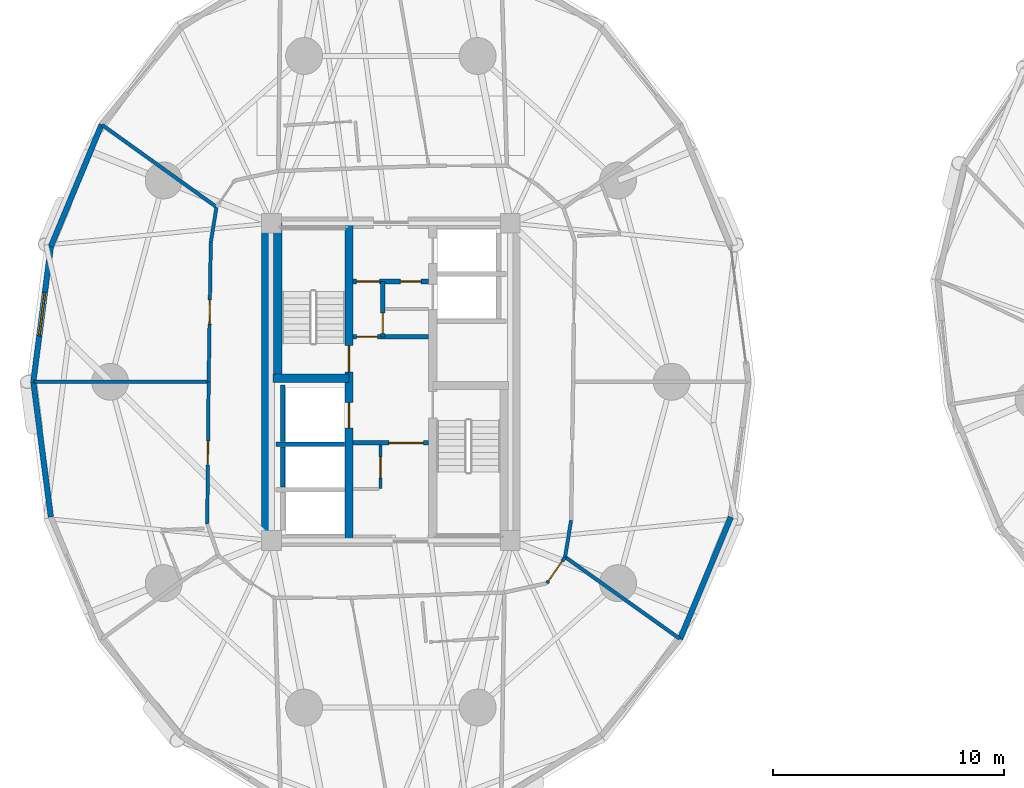
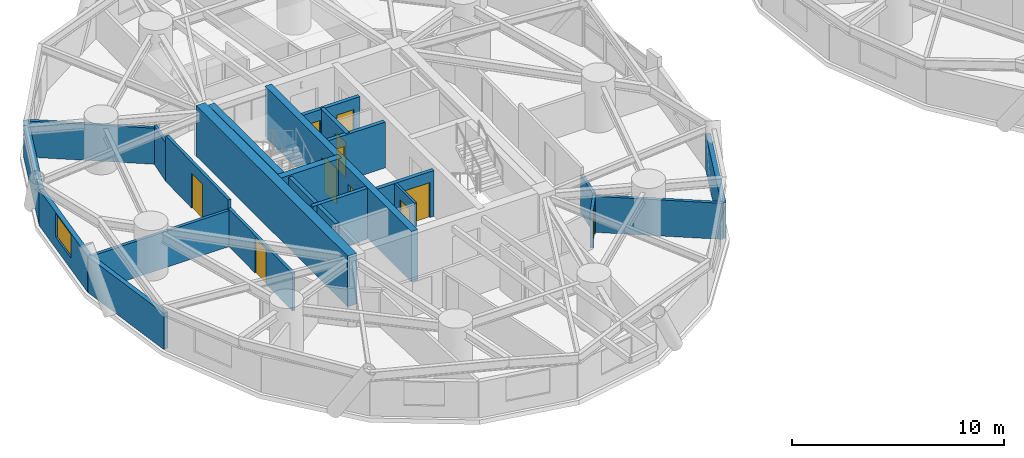
# One storey, part 10 of 18: 24 walls, 11 doors, 1 window, 12 openings.
"""IFC4 building model written with IfcOpenShell, lengths in metres."""

from ifc_helpers import new_model, si_unit, direction, frame, frame_2d, origin, place, context, subcontext, project, spatial, rectangle, extrude, source, transform, mapped, material, layer, layer_set, type_object, element, fill, save


model = new_model("IFC4")

# Units and contexts
model_context = context("Model", 3, precision=1e-05, world=origin(), true_north=direction((0.0, 1.0)))
body_context = subcontext(model_context, "Body", "Model", "MODEL_VIEW")
ifc_project = project(units=[si_unit("LENGTHUNIT", "METRE"), si_unit("AREAUNIT", "SQUARE_METRE"), si_unit("VOLUMEUNIT", "CUBIC_METRE"), si_unit("PLANEANGLEUNIT", "RADIAN"), si_unit("MASSUNIT", "GRAM", prefix="KILO")], contexts=[model_context])

# Site, building, storey
site_placement = place(None, origin())
site = spatial("IfcSite", under=ifc_project, at=site_placement, CompositionType="ELEMENT")
building_placement = place(site_placement, origin())
building = spatial("IfcBuilding", under=site, at=building_placement, Name="Cununo Teusaquillo Station Towers", CompositionType="ELEMENT")
storey_placement = place(building_placement, frame((0.0, 0.0, 36.550048828125)))
storey = spatial("IfcBuildingStorey", under=building, at=storey_placement, Name="L10", CompositionType="ELEMENT", Elevation=36.550048828125)

# Walls
ifc_material_1 = material(Name="Concrete C50/60", Category="concrete")
ifc_layer_1 = layer(ifc_material_1, 0.199951171875)
ifc_layer_set_1 = layer_set([ifc_layer_1], Name="Concrete C50/60")
wall_type_1 = type_object("IfcWallType", Name="WL-CORE-200", PredefinedType="SHEAR", material=ifc_layer_set_1)
wall_1_placement = place(storey_placement, frame((11.52001953125, 21.800048828125, 0.0), z_axis=(0.0, 0.0, 1.0), x_axis=(1.0, 0.0, 0.0)))
element("IfcWall", 1, at=wall_1_placement, inside=storey, type_object=wall_type_1, Name="L10 Tower A Firefighting Lift Shaft South Shear Wall", PredefinedType="SHEAR", context=body_context, shape_type="SweptSolid", body=[
    extrude(rectangle(XDim=2.969970703125, YDim=0.199951171875, at=frame_2d((1.48486328125, 0.0))), origin(), (0.0, 0.0, 1.0), 2.909912109375),
])
wall_2_placement = place(storey_placement, frame((11.820068359375, 21.919921875, 0.0), z_axis=(0.0, 0.0, 1.0), x_axis=(0.0, 1.0, 0.0)))
element("IfcWall", 2, at=wall_2_placement, inside=storey, type_object=wall_type_1, Name="L10 Tower A Firefighting Lift Shaft Rear Shear Wall", PredefinedType="SHEAR", context=body_context, shape_type="SweptSolid", body=[
    extrude(rectangle(XDim=2.440185546875, YDim=0.199951171875, at=frame_2d((1.22021484375, 0.0))), origin(), (0.0, 0.0, 1.0), 2.909912109375),
])
wall_3_placement = place(storey_placement, frame((11.820068359375, 19.945068359375, 0.0), z_axis=(0.0, 0.0, 1.0), x_axis=(0.0, 1.0, 0.0)))
element("IfcWall", 3, at=wall_3_placement, inside=storey, type_object=wall_type_1, Name="L10 Tower A High-Rise Lift 2 Shaft Rear Shear Wall", PredefinedType="SHEAR", context=body_context, shape_type="SweptSolid", body=[
    extrude(rectangle(XDim=1.73486328125, YDim=0.199951171875, at=frame_2d((0.867431640625, 0.0))), origin(), (0.0, 0.0, 1.0), 2.909912109375),
])

# Wall, openings, doors
ifc_material_2 = material(Name="Concrete C50/60", Category="concrete")
ifc_layer_2 = layer(ifc_material_2, 0.35009765625)
ifc_layer_set_2 = layer_set([ifc_layer_2], Name="Concrete C50/60")
wall_type_2 = type_object("IfcWallType", Name="WL-CORE-350", PredefinedType="SHEAR", material=ifc_layer_set_2)
wall_4_placement = place(storey_placement, frame((14.68505859375, 17.60009765625, 0.0), z_axis=(0.0, 0.0, 1.0), x_axis=(0.0, 1.0, 0.0)))
wall_4 = element("IfcWall", 4, at=wall_4_placement, inside=storey, type_object=wall_type_2, Name="L10 Tower A Core Shear Wall IW", PredefinedType="SHEAR", context=body_context, shape_type="SweptSolid", body=[
    extrude(rectangle(XDim=13.7998046875, YDim=0.35009765625, at=frame_2d((6.89990234375, 0.0))), origin(), (0.0, 0.0, 1.0), 2.909912109375),
])
shared_shape_1 = source(origin(), body_context, "Body", "SweptSolid", [
    extrude(rectangle(XDim=1.10009765625, YDim=2.014892578125, at=frame_2d((0.550048828125, 1.00732421875))), frame((0.0, 0.18505859375, 0.0), z_axis=(0.0, -1.0, 0.0), x_axis=(1.0, 0.0, 0.0)), (0.0, 0.0, 1.0), 0.3701171875),
])
opening_1_placement = place(wall_4_placement, frame((4.89990234375, 0.0, 0.0)))
opening_1 = element("IfcOpeningElement", 5, at=opening_1_placement, cuts=wall_4, Name="Opening LD-01", PredefinedType="OPENING", context=body_context, shape_type="MappedRepresentation", body=[
    mapped(shared_shape_1, transform((0.0, 0.0, 0.0), x_axis=(1.0, 0.0, 0.0), y_axis=(0.0, 1.0, 0.0), z_axis=(0.0, 0.0, 1.0), scale=1.0)),
])
shared_shape_2 = source(origin(), body_context, "Body", "SweptSolid", [
    extrude(rectangle(XDim=1.14990234375, YDim=2.02001953125, at=frame_2d((0.574951171875, 1.010009765625))), frame((0.0, 0.18505859375, 0.0), z_axis=(0.0, -1.0, 0.0), x_axis=(1.0, 0.0, 0.0)), (0.0, 0.0, 1.0), 0.3701171875),
])
opening_2_placement = place(wall_4_placement, frame((7.320068359375, 0.0, 0.0)))
opening_2 = element("IfcOpeningElement", 6, at=opening_2_placement, cuts=wall_4, Name="Opening D-ST1", PredefinedType="OPENING", context=body_context, shape_type="MappedRepresentation", body=[
    mapped(shared_shape_2, transform((0.0, 0.0, 0.0), x_axis=(1.0, 0.0, 0.0), y_axis=(0.0, 1.0, 0.0), z_axis=(0.0, 0.0, 1.0), scale=1.0)),
])
ifc_material_3 = material(Name="Galvanised fire-rated hollow steel door assembly", Category="steel")
door_type_1 = type_object("IfcDoorType", Name="DR-LIFT-1100", OperationType="SLIDING_TO_LEFT", PredefinedType="DOOR", material=ifc_material_3)
shared_shape_3 = source(origin(), body_context, "Body", "SweptSolid", [
    extrude(rectangle(XDim=1.10009765625, YDim=2.014892578125, at=frame_2d((0.550048828125, 1.00732421875))), frame((0.0, 0.02490234375, 0.0), z_axis=(0.0, -1.0, 0.0), x_axis=(1.0, 0.0, 0.0)), (0.0, 0.0, 1.0), 0.050048828125),
])
door_1_placement = place(opening_1_placement, origin())
door_1 = element("IfcDoor", 7, at=door_1_placement, inside=storey, type_object=door_type_1, Name="L10 Lift FL-T1 Sliding Landing Door", OperationType="SLIDING_TO_LEFT", OverallHeight=2.014892578125, OverallWidth=1.10009765625, PredefinedType="DOOR", context=body_context, shape_type="MappedRepresentation", body=[
    mapped(shared_shape_3, transform((0.0, 0.0, 0.0), x_axis=(1.0, 0.0, 0.0), y_axis=(0.0, 1.0, 0.0), z_axis=(0.0, 0.0, 1.0), scale=1.0)),
])
fill(opening_1, door_1)
ifc_material_4 = material(Name="Galvanised fire-rated hollow steel door assembly", Category="steel")
door_type_2 = type_object("IfcDoorType", Name="DR-STAIR-1150", OperationType="NOTDEFINED", PredefinedType="DOOR", material=ifc_material_4)
shared_shape_4 = source(origin(), body_context, "Body", "SweptSolid", [
    extrude(rectangle(XDim=1.14990234375, YDim=2.02001953125, at=frame_2d((0.574951171875, 1.010009765625))), frame((0.0, 0.02490234375, 0.0), z_axis=(0.0, -1.0, 0.0), x_axis=(1.0, 0.0, 0.0)), (0.0, 0.0, 1.0), 0.050048828125),
])
door_2_placement = place(opening_2_placement, origin())
door_2 = element("IfcDoor", 8, at=door_2_placement, inside=storey, type_object=door_type_2, Name="L10 Tower A Exit Stair 1 Fire Door", OperationType="SINGLE_SWING_RIGHT", OverallHeight=2.02001953125, OverallWidth=1.14990234375, PredefinedType="DOOR", context=body_context, shape_type="MappedRepresentation", body=[
    mapped(shared_shape_4, transform((0.0, 0.0, 0.0), x_axis=(1.0, 0.0, 0.0), y_axis=(0.0, 1.0, 0.0), z_axis=(0.0, 0.0, 1.0), scale=1.0)),
])
fill(opening_2, door_2)

# Walls
wall_5_placement = place(storey_placement, frame((11.594970703125, 24.655029296875, 0.0), z_axis=(0.0, 0.0, 1.0), x_axis=(0.0, 1.0, 0.0)))
element("IfcWall", 9, at=wall_5_placement, inside=storey, type_object=wall_type_2, Name="L10 Tower A Core Shear Wall ST1W", PredefinedType="SHEAR", context=body_context, shape_type="SweptSolid", body=[
    extrude(rectangle(XDim=6.744873046875, YDim=0.35009765625, at=frame_2d((3.37255859375, 0.0))), origin(), (0.0, 0.0, 1.0), 2.909912109375),
])
wall_6_placement = place(storey_placement, frame((11.39990234375, 24.655029296875, 0.0), z_axis=(0.0, 0.0, 1.0), x_axis=(1.0, 0.0, 0.0)))
element("IfcWall", 10, at=wall_6_placement, inside=storey, type_object=wall_type_2, Name="L10 Tower A Core Shear Wall ST1S", PredefinedType="SHEAR", context=body_context, shape_type="SweptSolid", body=[
    extrude(rectangle(XDim=3.28515625, YDim=0.35009765625, at=frame_2d((1.642578125, 0.0))), origin(), (0.0, 0.0, 1.0), 2.909912109375),
])
ifc_material_5 = material(Name="Concrete C60/75", Category="concrete")
ifc_layer_3 = layer(ifc_material_5, 0.5)
ifc_layer_set_3 = layer_set([ifc_layer_3], Name="Concrete C60/75")
wall_type_3 = type_object("IfcWallType", Name="WL-CORE-500", PredefinedType="SHEAR", material=ifc_layer_set_3)
wall_7_placement = place(storey_placement, frame((11.14990234375, 17.35009765625, 0.0), z_axis=(0.0, 0.0, 1.0), x_axis=(0.0, 1.0, 0.0)))
element("IfcWall", 11, at=wall_7_placement, inside=storey, type_object=wall_type_3, Name="L10 Tower A Core Shear Wall W", PredefinedType="SHEAR", context=body_context, shape_type="SweptSolid", body=[
    extrude(rectangle(XDim=14.2998046875, YDim=0.5, at=frame_2d((7.14990234375, 0.0))), origin(), (0.0, 0.0, 1.0), 2.909912109375),
])
ifc_material_6 = material(Name="Precast concrete C40/50", Category="concrete")
ifc_layer_4 = layer(ifc_material_6, 0.239990234375)
ifc_layer_set_4 = layer_set([ifc_layer_4], Name="Precast concrete C40/50")
wall_type_4 = type_object("IfcWallType", Name="WL-EXT-240", PredefinedType="SOLIDWALL", material=ifc_layer_set_4)
wall_8_placement = place(storey_placement, frame((1.759521484375, 30.362060546875, 0.0), z_axis=(0.0, 0.0, 1.0), x_axis=(0.38430970593, 0.923204229804, 0.0)))
element("IfcWall", 12, at=wall_8_placement, inside=storey, type_object=wall_type_4, Name="L10 Tower A Exterior Facade Wall C08", PredefinedType="SOLIDWALL", context=body_context, shape_type="SweptSolid", body=[
    extrude(rectangle(XDim=5.728271484375, YDim=0.239990234375, at=frame_2d((2.8642578125, 0.0))), origin(), (0.0, 0.0, 1.0), 2.072998046875),
])

# Wall, opening, window
wall_9_placement = place(storey_placement, frame((1.0009765625, 24.5, 0.0), z_axis=(0.0, 0.0, 1.0), x_axis=(0.128329107357, 0.991731637191, 0.0)))
wall_9 = element("IfcWall", 13, at=wall_9_placement, inside=storey, type_object=wall_type_4, Name="L10 Tower A Exterior Facade Wall C09", PredefinedType="SOLIDWALL", context=body_context, shape_type="SweptSolid", body=[
    extrude(rectangle(XDim=5.910888671875, YDim=0.239990234375, at=frame_2d((2.95556640625, 0.0))), origin(), (0.0, 0.0, 1.0), 2.072998046875),
])
shared_shape_5 = source(origin(), body_context, "Body", "SweptSolid", [
    extrude(rectangle(XDim=1.89990234375, YDim=1.35009765625, at=frame_2d((0.949951171875, 0.675048828125))), frame((0.0, 0.1298828125, 0.0), z_axis=(0.0, -1.0, 0.0), x_axis=(1.0, 0.0, 0.0)), (0.0, 0.0, 1.0), 0.260009765625),
])
opening_3_placement = place(wall_9_placement, frame((2.0048828125, 0.0, 0.64990234375)))
opening_3 = element("IfcOpeningElement", 14, at=opening_3_placement, cuts=wall_9, Name="Opening WN-02", PredefinedType="OPENING", context=body_context, shape_type="MappedRepresentation", body=[
    mapped(shared_shape_5, transform((0.0, 0.0, 0.0), x_axis=(1.0, 0.0, 0.0), y_axis=(0.0, 1.0, 0.0), z_axis=(0.0, 0.0, 1.0), scale=1.0)),
])
ifc_material_7 = material(Name="Operable acoustic tinted low-E double glazing", Category="glass")
window_type = type_object("IfcWindowType", Name="WIN-OPER-1900", PartitioningType="DOUBLE_PANEL_VERTICAL", PredefinedType="WINDOW", material=ifc_material_7)
shared_shape_6 = source(origin(), body_context, "Body", "SweptSolid", [
    extrude(rectangle(XDim=1.89990234375, YDim=1.35009765625, at=frame_2d((0.949951171875, 0.675048828125))), frame((0.0, 0.030029296875, 0.0), z_axis=(0.0, -1.0, 0.0), x_axis=(1.0, 0.0, 0.0)), (0.0, 0.0, 1.0), 0.06005859375),
])
window_placement = place(opening_3_placement, origin())
window = element("IfcWindow", 15, at=window_placement, inside=storey, type_object=window_type, Name="L10 Tower A Facade Window C09", OverallHeight=1.35009765625, OverallWidth=1.89990234375, PartitioningType="DOUBLE_PANEL_VERTICAL", PredefinedType="WINDOW", context=body_context, shape_type="MappedRepresentation", body=[
    mapped(shared_shape_6, transform((0.0, 0.0, 0.0), x_axis=(1.0, 0.0, 0.0), y_axis=(0.0, 1.0, 0.0), z_axis=(0.0, 0.0, 1.0), scale=1.0)),
])
fill(opening_3, window)

# Walls
wall_10_placement = place(storey_placement, frame((1.759521484375, 18.637939453125, 0.0), z_axis=(0.0, 0.0, 1.0), x_axis=(-0.128329107357, 0.991731637191, 0.0)))
element("IfcWall", 16, at=wall_10_placement, inside=storey, type_object=wall_type_4, Name="L10 Tower A Exterior Facade Wall C10", PredefinedType="SOLIDWALL", context=body_context, shape_type="SweptSolid", body=[
    extrude(rectangle(XDim=5.910888671875, YDim=0.239990234375, at=frame_2d((2.95556640625, 0.0))), origin(), (0.0, 0.0, 1.0), 2.072998046875),
])
wall_11_placement = place(storey_placement, frame((31.240478515625, 18.637939453125, 0.0), z_axis=(0.0, 0.0, 1.0), x_axis=(-0.38430970593, -0.923204229804, 0.0)))
element("IfcWall", 17, at=wall_11_placement, inside=storey, type_object=wall_type_4, Name="L10 Tower A Exterior Facade Wall C18", PredefinedType="SOLIDWALL", context=body_context, shape_type="SweptSolid", body=[
    extrude(rectangle(XDim=5.728271484375, YDim=0.239990234375, at=frame_2d((2.8642578125, 0.0))), origin(), (0.0, 0.0, 1.0), 2.072998046875),
])

# Wall, opening, door
ifc_material_8 = material(Name="Fire-rated gypsum plasterboard partition assembly", Category="gypsum")
ifc_layer_5 = layer(ifc_material_8, 0.125)
ifc_layer_set_5 = layer_set([ifc_layer_5], Name="Fire-rated gypsum plasterboard partition assembly")
wall_type_5 = type_object("IfcWallType", Name="WL-PART-125", PredefinedType="PARTITIONING", material=ifc_layer_set_5)
wall_12_placement = place(storey_placement, frame((16.050048828125, 19.8798828125, 0.0), z_axis=(0.0, 0.0, 1.0), x_axis=(0.0, 1.0, 0.0)))
wall_12 = element("IfcWall", 18, at=wall_12_placement, inside=storey, type_object=wall_type_5, Name="L10 Tower A North-West Lobby Store East Wall", PredefinedType="PARTITIONING", context=body_context, shape_type="SweptSolid", body=[
    extrude(rectangle(XDim=1.8701171875, YDim=0.125, at=frame_2d((0.93505859375, 0.0))), origin(), (0.0, 0.0, 1.0), 2.635009765625),
])
shared_shape_7 = source(origin(), body_context, "Body", "SweptSolid", [
    extrude(rectangle(XDim=0.89990234375, YDim=2.0048828125, at=frame_2d((0.449951171875, 1.00244140625))), frame((0.0, 0.072509765625, 0.0), z_axis=(0.0, -1.0, 0.0), x_axis=(1.0, 0.0, 0.0)), (0.0, 0.0, 1.0), 0.14501953125),
])
opening_4_placement = place(wall_12_placement, frame((0.449951171875, 0.0, 0.0)))
opening_4 = element("IfcOpeningElement", 19, at=opening_4_placement, cuts=wall_12, Name="Opening D-SR1", PredefinedType="OPENING", context=body_context, shape_type="MappedRepresentation", body=[
    mapped(shared_shape_7, transform((0.0, 0.0, 0.0), x_axis=(1.0, 0.0, 0.0), y_axis=(0.0, 1.0, 0.0), z_axis=(0.0, 0.0, 1.0), scale=1.0)),
])
ifc_material_9 = material(Name="Galvanised fire-rated hollow steel door assembly", Category="steel")
door_type_3 = type_object("IfcDoorType", Name="DR-STORE-900", OperationType="NOTDEFINED", PredefinedType="DOOR", material=ifc_material_9)
shared_shape_8 = source(origin(), body_context, "Body", "SweptSolid", [
    extrude(rectangle(XDim=0.89990234375, YDim=2.0048828125, at=frame_2d((0.449951171875, 1.00244140625))), frame((0.0, 0.02490234375, 0.0), z_axis=(0.0, -1.0, 0.0), x_axis=(1.0, 0.0, 0.0)), (0.0, 0.0, 1.0), 0.050048828125),
])
door_3_placement = place(opening_4_placement, origin())
door_3 = element("IfcDoor", 20, at=door_3_placement, inside=storey, type_object=door_type_3, Name="L10 Tower A South Lobby Data Store Door", OperationType="SINGLE_SWING_RIGHT", OverallHeight=2.0048828125, OverallWidth=0.89990234375, PredefinedType="DOOR", context=body_context, shape_type="MappedRepresentation", body=[
    mapped(shared_shape_8, transform((0.0, 0.0, 0.0), x_axis=(1.0, 0.0, 0.0), y_axis=(0.0, 1.0, 0.0), z_axis=(0.0, 0.0, 1.0), scale=1.0)),
])
fill(opening_4, door_3)

# Wall
ifc_material_10 = material(Name="Fire-rated gypsum plasterboard partition assembly", Category="gypsum")
ifc_layer_6 = layer(ifc_material_10, 0.14990234375)
ifc_layer_set_6 = layer_set([ifc_layer_6], Name="Fire-rated gypsum plasterboard partition assembly")
wall_type_6 = type_object("IfcWallType", Name="WL-PART-150", PredefinedType="PARTITIONING", material=ifc_layer_set_6)
wall_13_placement = place(storey_placement, frame((8.93994140625, 32.078369140625, 0.0), z_axis=(0.0, 0.0, 1.0), x_axis=(-0.159148467753, -0.98725466077, 0.0)))
element("IfcWall", 21, at=wall_13_placement, inside=storey, type_object=wall_type_6, Name="L10 Tower A Corridor Ring Wall C08", PredefinedType="PARTITIONING", context=body_context, shape_type="SweptSolid", body=[
    extrude(rectangle(XDim=1.553955078125, YDim=0.14990234375, at=frame_2d((0.77685546875, 0.0))), origin(), (0.0, 0.0, 1.0), 2.204833984375),
])

# Wall, opening, door
wall_14_placement = place(storey_placement, frame((8.692626953125, 30.544189453125, 0.0), z_axis=(0.0, 0.0, 1.0), x_axis=(-0.015307007986, -0.99988284089, 0.0)))
wall_14 = element("IfcWall", 22, at=wall_14_placement, inside=storey, type_object=wall_type_6, Name="L10 Tower A Corridor Ring Wall C09", PredefinedType="PARTITIONING", context=body_context, shape_type="SweptSolid", body=[
    extrude(rectangle(XDim=6.044921875, YDim=0.14990234375, at=frame_2d((3.0224609375, 0.0))), origin(), (0.0, 0.0, 1.0), 2.635009765625),
])
shared_shape_9 = source(origin(), body_context, "Body", "SweptSolid", [
    extrude(rectangle(XDim=1.050048828125, YDim=2.014892578125, at=frame_2d((0.52490234375, 1.00732421875))), frame((0.0, 0.0849609375, 0.0), z_axis=(0.0, -1.0, 0.0), x_axis=(1.0, 0.0, 0.0)), (0.0, 0.0, 1.0), 0.169921875),
])
opening_5_placement = place(wall_14_placement, frame((2.497314453125, 0.0, 0.0)))
opening_5 = element("IfcOpeningElement", 23, at=opening_5_placement, cuts=wall_14, Name="Opening D-SU1", PredefinedType="OPENING", context=body_context, shape_type="MappedRepresentation", body=[
    mapped(shared_shape_9, transform((0.0, 0.0, 0.0), x_axis=(1.0, 0.0, 0.0), y_axis=(0.0, 1.0, 0.0), z_axis=(0.0, 0.0, 1.0), scale=1.0)),
])
ifc_material_11 = material(Name="Acoustic solid-core hardwood leaf assembly", Category="wood")
door_type_4 = type_object("IfcDoorType", Name="DR-SUITE-1050", OperationType="NOTDEFINED", PredefinedType="DOOR", material=ifc_material_11)
shared_shape_10 = source(origin(), body_context, "Body", "SweptSolid", [
    extrude(rectangle(XDim=1.050048828125, YDim=2.014892578125, at=frame_2d((0.52490234375, 1.00732421875))), frame((0.0, 0.02490234375, 0.0), z_axis=(0.0, -1.0, 0.0), x_axis=(1.0, 0.0, 0.0)), (0.0, 0.0, 1.0), 0.050048828125),
])
door_4_placement = place(opening_5_placement, origin())
door_4 = element("IfcDoor", 24, at=door_4_placement, inside=storey, type_object=door_type_4, Name="L10 Tower A Hotel Wellness & Fitness Salon Entrance Door", OperationType="SINGLE_SWING_RIGHT", OverallHeight=2.014892578125, OverallWidth=1.050048828125, PredefinedType="DOOR", context=body_context, shape_type="MappedRepresentation", body=[
    mapped(shared_shape_10, transform((0.0, 0.0, 0.0), x_axis=(1.0, 0.0, 0.0), y_axis=(0.0, 1.0, 0.0), z_axis=(0.0, 0.0, 1.0), scale=1.0)),
])
fill(opening_5, door_4)

wall_15_placement = place(storey_placement, frame((8.60009765625, 24.5, 0.0), z_axis=(0.0, 0.0, 1.0), x_axis=(-0.010023665349, -0.999949761805, 0.0)))
wall_15 = element("IfcWall", 25, at=wall_15_placement, inside=storey, type_object=wall_type_6, Name="L10 Tower A Corridor Ring Wall C10", PredefinedType="PARTITIONING", context=body_context, shape_type="SweptSolid", body=[
    extrude(rectangle(XDim=6.162109375, YDim=0.14990234375, at=frame_2d((3.0810546875, 0.0))), origin(), (0.0, 0.0, 1.0), 2.158935546875),
])
opening_6_placement = place(wall_15_placement, frame((2.55615234375, 0.0, 0.0)))
opening_6 = element("IfcOpeningElement", 26, at=opening_6_placement, cuts=wall_15, Name="Opening D-SU1", PredefinedType="OPENING", context=body_context, shape_type="MappedRepresentation", body=[
    mapped(shared_shape_9, transform((0.0, 0.0, 0.0), x_axis=(1.0, 0.0, 0.0), y_axis=(0.0, 1.0, 0.0), z_axis=(0.0, 0.0, 1.0), scale=1.0)),
])
door_5_placement = place(opening_6_placement, origin())
door_5 = element("IfcDoor", 27, at=door_5_placement, inside=storey, type_object=door_type_4, Name="L10 Tower A Ambassador Hospitality Suite Entrance Door", OperationType="SINGLE_SWING_LEFT", OverallHeight=2.014892578125, OverallWidth=1.050048828125, PredefinedType="DOOR", context=body_context, shape_type="MappedRepresentation", body=[
    mapped(shared_shape_10, transform((0.0, 0.0, 0.0), x_axis=(1.0, 0.0, 0.0), y_axis=(0.0, 1.0, 0.0), z_axis=(0.0, 0.0, 1.0), scale=1.0)),
])
fill(opening_6, door_5)

wall_16_placement = place(storey_placement, frame((23.263427734375, 15.77001953125, 0.0), z_axis=(0.0, 0.0, 1.0), x_axis=(0.570743456919, 0.821128434768, 0.0)))
wall_16 = element("IfcWall", 28, at=wall_16_placement, inside=storey, type_object=wall_type_6, Name="L10 Tower A Corridor Ring Wall C17", PredefinedType="PARTITIONING", context=body_context, shape_type="SweptSolid", body=[
    extrude(rectangle(XDim=1.381591796875, YDim=0.14990234375, at=frame_2d((0.69091796875, 0.0))), origin(), (0.0, 0.0, 1.0), 2.158935546875),
])
opening_7_placement = place(wall_16_placement, frame((0.1201171875, 0.0, 0.0)))
opening_7 = element("IfcOpeningElement", 29, at=opening_7_placement, cuts=wall_16, Name="Opening D-SU1", PredefinedType="OPENING", context=body_context, shape_type="MappedRepresentation", body=[
    mapped(shared_shape_9, transform((0.0, 0.0, 0.0), x_axis=(1.0, 0.0, 0.0), y_axis=(0.0, 1.0, 0.0), z_axis=(0.0, 0.0, 1.0), scale=1.0)),
])
door_6_placement = place(opening_7_placement, origin())
door_6 = element("IfcDoor", 30, at=door_6_placement, inside=storey, type_object=door_type_4, Name="L10 Tower A Hotel Housekeeping & Linen Pantry Entrance Door", OperationType="SINGLE_SWING_LEFT", OverallHeight=2.014892578125, OverallWidth=1.050048828125, PredefinedType="DOOR", context=body_context, shape_type="MappedRepresentation", body=[
    mapped(shared_shape_10, transform((0.0, 0.0, 0.0), x_axis=(1.0, 0.0, 0.0), y_axis=(0.0, 1.0, 0.0), z_axis=(0.0, 0.0, 1.0), scale=1.0)),
])
fill(opening_7, door_6)

# Walls
wall_17_placement = place(storey_placement, frame((24.052001953125, 16.904541015625, 0.0), z_axis=(0.0, 0.0, 1.0), x_axis=(0.162091534225, 0.986775726562, 0.0)))
element("IfcWall", 31, at=wall_17_placement, inside=storey, type_object=wall_type_6, Name="L10 Tower A Corridor Ring Wall C18", PredefinedType="PARTITIONING", context=body_context, shape_type="SweptSolid", body=[
    extrude(rectangle(XDim=1.613037109375, YDim=0.14990234375, at=frame_2d((0.806640625, 0.0))), origin(), (0.0, 0.0, 1.0), 2.204833984375),
])
ifc_material_12 = material(Name="Fire-rated gypsum plasterboard partition assembly", Category="gypsum")
ifc_layer_7 = layer(ifc_material_12, 0.159912109375)
ifc_layer_set_7 = layer_set([ifc_layer_7], Name="Fire-rated gypsum plasterboard partition assembly")
wall_type_7 = type_object("IfcWallType", Name="WL-PART-160", PredefinedType="PARTITIONING", material=ifc_layer_set_7)
wall_18_placement = place(storey_placement, frame((8.93994140625, 32.078369140625, 0.0), z_axis=(0.0, 0.0, 1.0), x_axis=(-0.812546070691, 0.582896974606, 0.0)))
element("IfcWall", 32, at=wall_18_placement, inside=storey, type_object=wall_type_7, Name="L10 Tower A Radial Suite Partition R05", PredefinedType="PARTITIONING", context=body_context, shape_type="SweptSolid", body=[
    extrude(rectangle(XDim=6.107421875, YDim=0.159912109375, at=frame_2d((3.0537109375, 0.0))), origin(), (0.0, 0.0, 1.0), 2.072998046875),
])
wall_19_placement = place(storey_placement, frame((8.60009765625, 24.5, 0.0), z_axis=(0.0, 0.0, 1.0), x_axis=(-1.0, 0.0, 0.0)))
element("IfcWall", 33, at=wall_19_placement, inside=storey, type_object=wall_type_7, Name="L10 Tower A Radial Suite Partition R06", PredefinedType="PARTITIONING", context=body_context, shape_type="SweptSolid", body=[
    extrude(rectangle(XDim=7.5791015625, YDim=0.159912109375, at=frame_2d((3.78955078125, 0.0))), origin(), (0.0, 0.0, 1.0), 2.072998046875),
])
wall_20_placement = place(storey_placement, frame((24.052001953125, 16.904541015625, 0.0), z_axis=(0.0, 0.0, 1.0), x_axis=(0.814316784985, -0.580420686822, 0.0)))
element("IfcWall", 34, at=wall_20_placement, inside=storey, type_object=wall_type_7, Name="L10 Tower A Radial Suite Partition R10", PredefinedType="PARTITIONING", context=body_context, shape_type="SweptSolid", body=[
    extrude(rectangle(XDim=6.104248046875, YDim=0.159912109375, at=frame_2d((3.05224609375, 0.0))), origin(), (0.0, 0.0, 1.0), 2.072998046875),
])

# Wall, opening, door
ifc_material_13 = material(Name="Fire-rated gypsum plasterboard partition assembly", Category="gypsum")
ifc_layer_8 = layer(ifc_material_13, 0.199951171875)
ifc_layer_set_8 = layer_set([ifc_layer_8], Name="Fire-rated gypsum plasterboard partition assembly")
wall_type_8 = type_object("IfcWallType", Name="WL-PART-200", PredefinedType="PARTITIONING", material=ifc_layer_set_8)
wall_21_placement = place(storey_placement, frame((14.860107421875, 21.85009765625, 0.0), z_axis=(0.0, 0.0, 1.0), x_axis=(1.0, 0.0, 0.0)))
wall_21 = element("IfcWall", 35, at=wall_21_placement, inside=storey, type_object=wall_type_8, Name="L10 Tower A Firefighting Lift Lobby South Fire Wall", PredefinedType="PARTITIONING", context=body_context, shape_type="SweptSolid", body=[
    extrude(rectangle(XDim=3.27978515625, YDim=0.199951171875, at=frame_2d((1.639892578125, 0.0))), origin(), (0.0, 0.0, 1.0), 2.635009765625),
])
shared_shape_11 = source(origin(), body_context, "Body", "SweptSolid", [
    extrude(rectangle(XDim=1.5, YDim=2.02001953125, at=frame_2d((0.75, 1.010009765625))), frame((0.0, 0.10986328125, 0.0), z_axis=(0.0, -1.0, 0.0), x_axis=(1.0, 0.0, 0.0)), (0.0, 0.0, 1.0), 0.219970703125),
])
opening_8_placement = place(wall_21_placement, frame((1.550048828125, 0.0, 0.0)))
opening_8 = element("IfcOpeningElement", 36, at=opening_8_placement, cuts=wall_21, Name="Opening D-LB1", PredefinedType="OPENING", context=body_context, shape_type="MappedRepresentation", body=[
    mapped(shared_shape_11, transform((0.0, 0.0, 0.0), x_axis=(1.0, 0.0, 0.0), y_axis=(0.0, 1.0, 0.0), z_axis=(0.0, 0.0, 1.0), scale=1.0)),
])
ifc_material_14 = material(Name="Galvanised fire-rated hollow steel door assembly", Category="steel")
door_type_5 = type_object("IfcDoorType", Name="DR-LOBBY-1500", OperationType="DOUBLE_DOOR_SINGLE_SWING", PredefinedType="DOOR", material=ifc_material_14)
shared_shape_12 = source(origin(), body_context, "Body", "SweptSolid", [
    extrude(rectangle(XDim=1.5, YDim=2.02001953125, at=frame_2d((0.75, 1.010009765625))), frame((0.0, 0.02490234375, 0.0), z_axis=(0.0, -1.0, 0.0), x_axis=(1.0, 0.0, 0.0)), (0.0, 0.0, 1.0), 0.050048828125),
])
door_7_placement = place(opening_8_placement, origin())
door_7 = element("IfcDoor", 37, at=door_7_placement, inside=storey, type_object=door_type_5, Name="L10 Tower A Firefighting Lift Lobby South Fire Door", OperationType="DOUBLE_DOOR_SINGLE_SWING", OverallHeight=2.02001953125, OverallWidth=1.5, PredefinedType="DOOR", context=body_context, shape_type="MappedRepresentation", body=[
    mapped(shared_shape_12, transform((0.0, 0.0, 0.0), x_axis=(1.0, 0.0, 0.0), y_axis=(0.0, 1.0, 0.0), z_axis=(0.0, 0.0, 1.0), scale=1.0)),
])
fill(opening_8, door_7)

wall_22_placement = place(storey_placement, frame((14.860107421875, 26.449951171875, 0.0), z_axis=(0.0, 0.0, 1.0), x_axis=(1.0, 0.0, 0.0)))
wall_22 = element("IfcWall", 38, at=wall_22_placement, inside=storey, type_object=wall_type_8, Name="L10 Tower A Firefighting Lift Lobby North Fire Wall", PredefinedType="PARTITIONING", context=body_context, shape_type="SweptSolid", body=[
    extrude(rectangle(XDim=3.27978515625, YDim=0.199951171875, at=frame_2d((1.639892578125, 0.0))), origin(), (0.0, 0.0, 1.0), 2.635009765625),
])
shared_shape_13 = source(origin(), body_context, "Body", "SweptSolid", [
    extrude(rectangle(XDim=0.89990234375, YDim=2.0048828125, at=frame_2d((0.449951171875, 1.00244140625))), frame((0.0, 0.10986328125, 0.0), z_axis=(0.0, -1.0, 0.0), x_axis=(1.0, 0.0, 0.0)), (0.0, 0.0, 1.0), 0.219970703125),
])
opening_9_placement = place(wall_22_placement, frame((0.159912109375, 0.0, 0.0)))
opening_9 = element("IfcOpeningElement", 39, at=opening_9_placement, cuts=wall_22, Name="Opening D-SR1", PredefinedType="OPENING", context=body_context, shape_type="MappedRepresentation", body=[
    mapped(shared_shape_13, transform((0.0, 0.0, 0.0), x_axis=(1.0, 0.0, 0.0), y_axis=(0.0, 1.0, 0.0), z_axis=(0.0, 0.0, 1.0), scale=1.0)),
])
door_8_placement = place(opening_9_placement, origin())
door_8 = element("IfcDoor", 40, at=door_8_placement, inside=storey, type_object=door_type_3, Name="L10 Tower A Stair 1 Protected Vestibule South Door", OperationType="SINGLE_SWING_RIGHT", OverallHeight=2.0048828125, OverallWidth=0.89990234375, PredefinedType="DOOR", context=body_context, shape_type="MappedRepresentation", body=[
    mapped(shared_shape_8, transform((0.0, 0.0, 0.0), x_axis=(1.0, 0.0, 0.0), y_axis=(0.0, 1.0, 0.0), z_axis=(0.0, 0.0, 1.0), scale=1.0)),
])
fill(opening_9, door_8)

wall_23_placement = place(storey_placement, frame((16.14990234375, 26.449951171875, 0.0), z_axis=(0.0, 0.0, 1.0), x_axis=(0.0, 1.0, 0.0)))
wall_23 = element("IfcWall", 41, at=wall_23_placement, inside=storey, type_object=wall_type_8, Name="L10 Tower A Stair 1 Vestibule Partition Wall", PredefinedType="PARTITIONING", context=body_context, shape_type="SweptSolid", body=[
    extrude(rectangle(XDim=2.400146484375, YDim=0.199951171875, at=frame_2d((1.2001953125, 0.0))), origin(), (0.0, 0.0, 1.0), 2.635009765625),
])
opening_10_placement = place(wall_23_placement, frame((0.139892578125, 0.0, 0.0)))
opening_10 = element("IfcOpeningElement", 42, at=opening_10_placement, cuts=wall_23, Name="Opening D-SR1", PredefinedType="OPENING", context=body_context, shape_type="MappedRepresentation", body=[
    mapped(shared_shape_13, transform((0.0, 0.0, 0.0), x_axis=(1.0, 0.0, 0.0), y_axis=(0.0, 1.0, 0.0), z_axis=(0.0, 0.0, 1.0), scale=1.0)),
])
door_9_placement = place(opening_10_placement, origin())
door_9 = element("IfcDoor", 43, at=door_9_placement, inside=storey, type_object=door_type_3, Name="L10 Tower A Core Linen Store Door", OperationType="SINGLE_SWING_LEFT", OverallHeight=2.0048828125, OverallWidth=0.89990234375, PredefinedType="DOOR", context=body_context, shape_type="MappedRepresentation", body=[
    mapped(shared_shape_8, transform((0.0, 0.0, 0.0), x_axis=(1.0, 0.0, 0.0), y_axis=(0.0, 1.0, 0.0), z_axis=(0.0, 0.0, 1.0), scale=1.0)),
])
fill(opening_10, door_9)

# Wall, openings, doors
wall_24_placement = place(storey_placement, frame((14.860107421875, 28.85009765625, 0.0), z_axis=(0.0, 0.0, 1.0), x_axis=(1.0, 0.0, 0.0)))
wall_24 = element("IfcWall", 44, at=wall_24_placement, inside=storey, type_object=wall_type_8, Name="L10 Tower A North Lift Lobby South Fire Wall", PredefinedType="PARTITIONING", context=body_context, shape_type="SweptSolid", body=[
    extrude(rectangle(XDim=3.27978515625, YDim=0.199951171875, at=frame_2d((1.639892578125, 0.0))), origin(), (0.0, 0.0, 1.0), 2.635009765625),
])
shared_shape_14 = source(origin(), body_context, "Body", "SweptSolid", [
    extrude(rectangle(XDim=1.0, YDim=2.014892578125, at=frame_2d((0.5, 1.00732421875))), frame((0.0, 0.10986328125, 0.0), z_axis=(0.0, -1.0, 0.0), x_axis=(1.0, 0.0, 0.0)), (0.0, 0.0, 1.0), 0.219970703125),
])
opening_11_placement = place(wall_24_placement, frame((0.139892578125, 0.0, 0.0)))
opening_11 = element("IfcOpeningElement", 45, at=opening_11_placement, cuts=wall_24, Name="Opening D-AC1", PredefinedType="OPENING", context=body_context, shape_type="MappedRepresentation", body=[
    mapped(shared_shape_14, transform((0.0, 0.0, 0.0), x_axis=(1.0, 0.0, 0.0), y_axis=(0.0, 1.0, 0.0), z_axis=(0.0, 0.0, 1.0), scale=1.0)),
])
opening_12_placement = place(wall_24_placement, frame((2.050048828125, 0.0, 0.0)))
opening_12 = element("IfcOpeningElement", 46, at=opening_12_placement, cuts=wall_24, Name="Opening D-SR1", PredefinedType="OPENING", context=body_context, shape_type="MappedRepresentation", body=[
    mapped(shared_shape_13, transform((0.0, 0.0, 0.0), x_axis=(1.0, 0.0, 0.0), y_axis=(0.0, 1.0, 0.0), z_axis=(0.0, 0.0, 1.0), scale=1.0)),
])
door_10_placement = place(opening_12_placement, origin())
door_10 = element("IfcDoor", 47, at=door_10_placement, inside=storey, type_object=door_type_3, Name="L10 Tower A Core Comms Room Door", OperationType="SINGLE_SWING_RIGHT", OverallHeight=2.0048828125, OverallWidth=0.89990234375, PredefinedType="DOOR", context=body_context, shape_type="MappedRepresentation", body=[
    mapped(shared_shape_8, transform((0.0, 0.0, 0.0), x_axis=(1.0, 0.0, 0.0), y_axis=(0.0, 1.0, 0.0), z_axis=(0.0, 0.0, 1.0), scale=1.0)),
])
fill(opening_12, door_10)
ifc_material_15 = material(Name="Acoustic solid-core hardwood leaf assembly", Category="wood")
door_type_6 = type_object("IfcDoorType", Name="DR-ACC-1000", OperationType="NOTDEFINED", PredefinedType="DOOR", material=ifc_material_15)
shared_shape_15 = source(origin(), body_context, "Body", "SweptSolid", [
    extrude(rectangle(XDim=1.0, YDim=2.014892578125, at=frame_2d((0.5, 1.00732421875))), frame((0.0, 0.02490234375, 0.0), z_axis=(0.0, -1.0, 0.0), x_axis=(1.0, 0.0, 0.0)), (0.0, 0.0, 1.0), 0.050048828125),
])
door_11_placement = place(opening_11_placement, origin())
door_11 = element("IfcDoor", 48, at=door_11_placement, inside=storey, type_object=door_type_6, Name="L10 Tower A North Lift Lobby to Stair 1 Vestibule Door", OperationType="SINGLE_SWING_LEFT", OverallHeight=2.014892578125, OverallWidth=1.0, PredefinedType="DOOR", context=body_context, shape_type="MappedRepresentation", body=[
    mapped(shared_shape_15, transform((0.0, 0.0, 0.0), x_axis=(1.0, 0.0, 0.0), y_axis=(0.0, 1.0, 0.0), z_axis=(0.0, 0.0, 1.0), scale=1.0)),
])
fill(opening_11, door_11)

save(model, "model.ifc")
